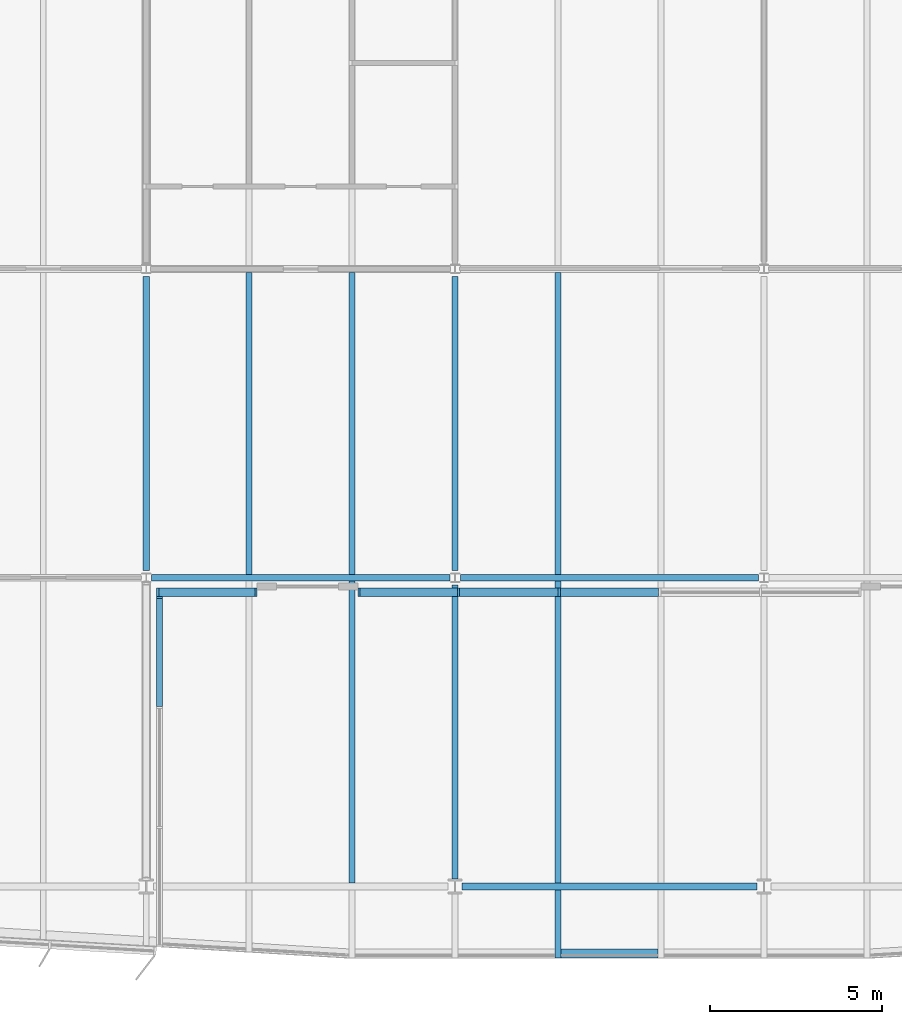
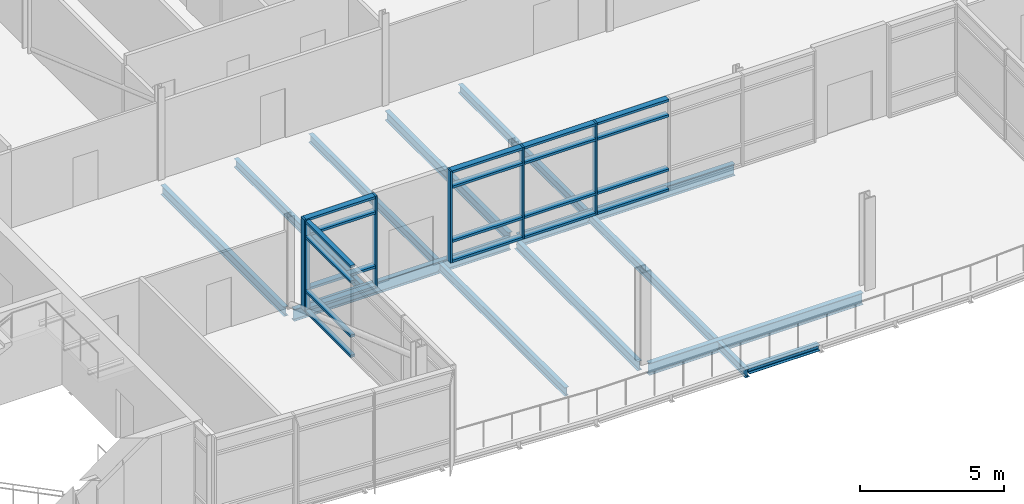
# One storey, part 3 of 19: 26 members, 13 beams, 3 elements without a shape of their own.
"""IFC4 building model written with IfcOpenShell, lengths in metres."""

from ifc_helpers import new_model, si_unit, direction, frame, origin, origin_2d, place, context, subcontext, project, spatial, rectangle, i_section, extrude, material, material_profile, profile_set, type_object, element, aggregate, save


model = new_model("IFC4")

# Units and contexts
model_context = context("Model", 3, precision=1e-05, world=origin(), true_north=direction((0.0, 1.0)))
body_context = subcontext(model_context, "Body", "Model", "MODEL_VIEW")
ifc_project = project(units=[si_unit("LENGTHUNIT", "METRE"), si_unit("AREAUNIT", "SQUARE_METRE"), si_unit("VOLUMEUNIT", "CUBIC_METRE"), si_unit("PLANEANGLEUNIT", "RADIAN"), si_unit("MASSUNIT", "GRAM", prefix="KILO")], contexts=[model_context])

# Site, building, storey
site_placement = place(None, origin())
site = spatial("IfcSite", under=ifc_project, at=site_placement, CompositionType="ELEMENT")
building_placement = place(site_placement, origin())
building = spatial("IfcBuilding", under=site, at=building_placement, Name="Azimuth Sports and Learning Centre", CompositionType="ELEMENT")
storey_placement = place(building_placement, frame((0.0, 0.0, 67.5)))
storey = spatial("IfcBuildingStorey", under=building, at=storey_placement, Name="L15", CompositionType="ELEMENT", Elevation=67.5)

# Beams
ifc_material_1 = material(Name="Steel S355", Category="steel")
ifc_material_profile_1 = material_profile(ifc_material_1, i_section(OverallWidth=0.179931640625, OverallDepth=0.39990234375, WebThickness=0.008544921875, FlangeThickness=0.013427734375, FilletRadius=0.02099609375, at=origin_2d()), Name="IPE 400")
ifc_profile_set_1 = profile_set([ifc_material_profile_1], Name="Steel S355")
beam_type_1 = type_object("IfcBeamType", Name="Beam IPE 400", PredefinedType="BEAM", material=ifc_profile_set_1)
beam_1_placement = place(storey_placement, frame((72.0, 99.216064453125, -0.330078125), z_axis=(0.0, 1.0, 0.0), x_axis=(-1.0, 0.0, 0.0)))
element("IfcBeam", 1, at=beam_1_placement, inside=storey, type_object=beam_type_1, Name="Tower tie", PredefinedType="BEAM", context=body_context, shape_type="SweptSolid", body=[
    extrude(i_section(OverallWidth=0.179931640625, OverallDepth=0.39990234375, WebThickness=0.008544921875, FlangeThickness=0.013427734375, FilletRadius=0.02099609375, at=origin_2d()), origin(), (0.0, 0.0, 1.0), 8.56787109375),
])
beam_2_placement = place(storey_placement, frame((81.0, 90.217529296875, -0.330078125), z_axis=(0.0, 1.0, 0.0), x_axis=(-1.0, 0.0, 0.0)))
element("IfcBeam", 2, at=beam_2_placement, inside=storey, type_object=beam_type_1, Name="Tower tie", PredefinedType="BEAM", context=body_context, shape_type="SweptSolid", body=[
    extrude(i_section(OverallWidth=0.179931640625, OverallDepth=0.39990234375, WebThickness=0.008544921875, FlangeThickness=0.013427734375, FilletRadius=0.02099609375, at=origin_2d()), origin(), (0.0, 0.0, 1.0), 8.56640625),
])
beam_3_placement = place(storey_placement, frame((81.0, 99.216064453125, -0.330078125), z_axis=(0.0, 1.0, 0.0), x_axis=(-1.0, 0.0, 0.0)))
element("IfcBeam", 3, at=beam_3_placement, inside=storey, type_object=beam_type_1, Name="Tower tie", PredefinedType="BEAM", context=body_context, shape_type="SweptSolid", body=[
    extrude(i_section(OverallWidth=0.179931640625, OverallDepth=0.39990234375, WebThickness=0.008544921875, FlangeThickness=0.013427734375, FilletRadius=0.02099609375, at=origin_2d()), origin(), (0.0, 0.0, 1.0), 8.56787109375),
])
ifc_material_2 = material(Name="Steel S355", Category="steel")
ifc_material_profile_2 = material_profile(ifc_material_2, i_section(OverallWidth=0.199951171875, OverallDepth=0.5, WebThickness=0.01025390625, FlangeThickness=0.01611328125, FilletRadius=0.02099609375, at=origin_2d()), Name="IPE 500")
ifc_profile_set_2 = profile_set([ifc_material_profile_2], Name="Steel S355")
beam_type_2 = type_object("IfcBeamType", Name="Beam IPE 500", PredefinedType="BEAM", material=ifc_profile_set_2)
beam_4_placement = place(storey_placement, frame((81.2060546875, 90.0, -0.3798828125), z_axis=(1.0, 0.0, 0.0), x_axis=(0.0, 1.0, 0.0)))
element("IfcBeam", 4, at=beam_4_placement, inside=storey, type_object=beam_type_2, Name="Tower girder L15", PredefinedType="BEAM", context=body_context, shape_type="SweptSolid", body=[
    extrude(i_section(OverallWidth=0.199951171875, OverallDepth=0.5, WebThickness=0.01025390625, FlangeThickness=0.01611328125, FilletRadius=0.02099609375, at=origin_2d()), origin(), (0.0, 0.0, 1.0), 8.587890625),
])
for number, where, z_axis, x_axis, name in (
    (5, (72.153564453125, 99.0, -0.3798828125), (1.0, 0.0, 0.0), (0.0, 1.0, 0.0), "Tower girder L15"),
    (6, (81.153564453125, 99.0, -0.3798828125), (1.0, 0.0, 0.0), (0.0, 1.0, 0.0), "Tower girder L15"),
):
    element("IfcBeam", number, at=place(storey_placement, frame(where, z_axis=z_axis, x_axis=x_axis)), inside=storey, type_object=beam_type_2, Name=name, PredefinedType="BEAM", context=body_context, shape_type="SweptSolid", body=[
        extrude(i_section(OverallWidth=0.199951171875, OverallDepth=0.5, WebThickness=0.01025390625, FlangeThickness=0.01611328125, FilletRadius=0.02099609375, at=origin_2d()), origin(), (0.0, 0.0, 1.0), 8.69287109375),
    ])
ifc_material_3 = material(Name="Steel S355", Category="steel")
ifc_material_profile_3 = material_profile(ifc_material_3, i_section(OverallWidth=0.169921875, OverallDepth=0.360107421875, WebThickness=0.008056640625, FlangeThickness=0.0126953125, FilletRadius=0.01806640625, at=origin_2d()), Name="IPE 360")
ifc_profile_set_3 = profile_set([ifc_material_profile_3], Name="Steel S355")
beam_type_3 = type_object("IfcBeamType", Name="Cantilever stub IPE 360", PredefinedType="JOIST", material=ifc_profile_set_3)
beam_5_placement = place(storey_placement, frame((84.0, 89.89990234375, -0.31005859375), z_axis=(0.0, -1.0, 0.0), x_axis=(1.0, 0.0, 0.0)))
element("IfcBeam", 7, at=beam_5_placement, inside=storey, type_object=beam_type_3, Name="Tower cantilever stub", PredefinedType="JOIST", context=body_context, shape_type="SweptSolid", body=[
    extrude(i_section(OverallWidth=0.169921875, OverallDepth=0.360107421875, WebThickness=0.008056640625, FlangeThickness=0.0126953125, FilletRadius=0.01806640625, at=origin_2d()), origin(), (0.0, 0.0, 1.0), 1.97998046875),
])
ifc_material_4 = material(Name="Steel S355", Category="steel")
ifc_material_profile_4 = material_profile(ifc_material_4, i_section(OverallWidth=0.260009765625, OverallDepth=0.25, WebThickness=0.007568359375, FlangeThickness=0.012451171875, FilletRadius=0.02392578125, at=origin_2d()), Name="HEA 260")
ifc_profile_set_4 = profile_set([ifc_material_profile_4], Name="Steel S355")
beam_type_4 = type_object("IfcBeamType", Name="Edge beam HEA 260", PredefinedType="SPANDREL", material=ifc_profile_set_4)
beam_6_placement = place(storey_placement, frame((84.0849609375, 88.050048828125, -0.2548828125), z_axis=(1.0, 0.0, 0.0), x_axis=(0.0, 1.0, 0.0)))
element("IfcBeam", 8, at=beam_6_placement, inside=storey, type_object=beam_type_4, Name="Tower edge beam", PredefinedType="SPANDREL", context=body_context, shape_type="SweptSolid", body=[
    extrude(i_section(OverallWidth=0.260009765625, OverallDepth=0.25, WebThickness=0.007568359375, FlangeThickness=0.012451171875, FilletRadius=0.02392578125, at=origin_2d()), origin(), (0.0, 0.0, 1.0), 2.830078125),
])
ifc_material_5 = material(Name="Steel S355", Category="steel")
ifc_material_profile_5 = material_profile(ifc_material_5, i_section(OverallWidth=0.169921875, OverallDepth=0.360107421875, WebThickness=0.008056640625, FlangeThickness=0.0126953125, FilletRadius=0.01806640625, at=origin_2d()), Name="IPE 360")
ifc_profile_set_5 = profile_set([ifc_material_profile_5], Name="Steel S355")
beam_type_5 = type_object("IfcBeamType", Name="Joist IPE 360", PredefinedType="JOIST", material=ifc_profile_set_5)
for number, where, z_axis, x_axis, name in (
    (9, (75.0, 99.10009765625, -0.31005859375), (0.0, 1.0, 0.0), (-1.0, 0.0, 0.0), "Tower joist"),
    (10, (78.0, 90.10009765625, -0.31005859375), (0.0, 1.0, 0.0), (-1.0, 0.0, 0.0), "Tower joist"),
    (11, (78.0, 99.10009765625, -0.31005859375), (0.0, 1.0, 0.0), (-1.0, 0.0, 0.0), "Tower joist"),
    (12, (84.0, 90.10009765625, -0.31005859375), (0.0, 1.0, 0.0), (-1.0, 0.0, 0.0), "Tower joist"),
    (13, (84.0, 99.10009765625, -0.31005859375), (0.0, 1.0, 0.0), (-1.0, 0.0, 0.0), "Tower joist"),
):
    element("IfcBeam", number, at=place(storey_placement, frame(where, z_axis=z_axis, x_axis=x_axis)), inside=storey, type_object=beam_type_5, Name=name, PredefinedType="JOIST", context=body_context, shape_type="SweptSolid", body=[
        extrude(i_section(OverallWidth=0.169921875, OverallDepth=0.360107421875, WebThickness=0.008056640625, FlangeThickness=0.0126953125, FilletRadius=0.01806640625, at=origin_2d()), origin(), (0.0, 0.0, 1.0), 8.7998046875),
    ])

# Curtain wall, member
ifc_material_6 = material(Name="Aluminium and glass", Category="aluminium")
curtain_wall_type_1 = type_object("IfcCurtainWallType", Name="Curtain wall tower return 180", PredefinedType="NOTDEFINED", material=ifc_material_6)
curtain_wall_1_placement = place(storey_placement, origin())
curtain_wall_1 = element("IfcCurtainWall", 14, at=curtain_wall_1_placement, inside=storey, type_object=curtain_wall_type_1, Name="Curtain wall CW15-003", PredefinedType="NOTDEFINED")
ifc_material_7 = material(Name="Aluminium", Category="aluminium")
ifc_material_profile_6 = material_profile(ifc_material_7, rectangle(XDim=0.179931640625, YDim=0.06005859375, at=origin_2d()), Name="Mullion 60x180")
ifc_profile_set_6 = profile_set([ifc_material_profile_6], Name="Aluminium")
member_type_1 = type_object("IfcMemberType", Name="Mullion 60x180", PredefinedType="MULLION", material=ifc_profile_set_6)
member_1_placement = place(storey_placement, frame((72.389892578125, 98.429931640625, 0.0), z_axis=(0.0, 0.0, 1.0), x_axis=(-1.0, 0.0, 0.0)))
member_1 = element("IfcMember", 15, at=member_1_placement, type_object=member_type_1, Name="CW15-003 mullion 4", PredefinedType="MULLION", context=body_context, shape_type="SweptSolid", body=[
    extrude(rectangle(XDim=0.179931640625, YDim=0.06005859375, at=origin_2d()), origin(), (0.0, 0.0, 1.0), 3.89990234375),
])

# Curtain wall, members
ifc_material_8 = material(Name="Aluminium and glass", Category="aluminium")
curtain_wall_type_2 = type_object("IfcCurtainWallType", Name="Curtain wall tower south 240", PredefinedType="NOTDEFINED", material=ifc_material_8)
curtain_wall_2_placement = place(storey_placement, origin())
curtain_wall_2 = element("IfcCurtainWall", 16, at=curtain_wall_2_placement, inside=storey, type_object=curtain_wall_type_2, Name="Curtain wall CW15-004", PredefinedType="NOTDEFINED")
ifc_material_9 = material(Name="Aluminium", Category="aluminium")
ifc_material_profile_7 = material_profile(ifc_material_9, rectangle(XDim=0.239990234375, YDim=0.070068359375, at=origin_2d()), Name="Mullion 70x240")
ifc_profile_set_7 = profile_set([ifc_material_profile_7], Name="Aluminium")
member_type_2 = type_object("IfcMemberType", Name="Mullion 70x240", PredefinedType="MULLION", material=ifc_profile_set_7)
member_2_placement = place(storey_placement, frame((72.3349609375, 98.580078125, 0.0), z_axis=(0.0, 0.0, 1.0), x_axis=(0.0, 1.0, 0.0)))
member_2 = element("IfcMember", 17, at=member_2_placement, type_object=member_type_2, Name="CW15-004 mullion 1", PredefinedType="MULLION", context=body_context, shape_type="SweptSolid", body=[
    extrude(rectangle(XDim=0.239990234375, YDim=0.070068359375, at=origin_2d()), origin(), (0.0, 0.0, 1.0), 3.89990234375),
])
member_3_placement = place(storey_placement, frame((75.1982421875, 98.580078125, 0.0), z_axis=(0.0, 0.0, 1.0), x_axis=(0.0, 1.0, 0.0)))
member_3 = element("IfcMember", 18, at=member_3_placement, type_object=member_type_2, Name="CW15-004 mullion 2", PredefinedType="MULLION", context=body_context, shape_type="SweptSolid", body=[
    extrude(rectangle(XDim=0.239990234375, YDim=0.070068359375, at=origin_2d()), origin(), (0.0, 0.0, 1.0), 3.89990234375),
])

curtain_wall_3_placement = place(storey_placement, origin())
curtain_wall_3 = element("IfcCurtainWall", 19, at=curtain_wall_3_placement, inside=storey, type_object=curtain_wall_type_2, Name="Curtain wall CW15-005", PredefinedType="NOTDEFINED")
member_4_placement = place(storey_placement, frame((78.20166015625, 98.580078125, 0.0), z_axis=(0.0, 0.0, 1.0), x_axis=(0.0, 1.0, 0.0)))
member_4 = element("IfcMember", 20, at=member_4_placement, type_object=member_type_2, Name="CW15-005 mullion 1", PredefinedType="MULLION", context=body_context, shape_type="SweptSolid", body=[
    extrude(rectangle(XDim=0.239990234375, YDim=0.070068359375, at=origin_2d()), origin(), (0.0, 0.0, 1.0), 3.89990234375),
])
member_5_placement = place(storey_placement, frame((81.10009765625, 98.580078125, 0.0), z_axis=(0.0, 0.0, 1.0), x_axis=(0.0, 1.0, 0.0)))
member_5 = element("IfcMember", 21, at=member_5_placement, type_object=member_type_2, Name="CW15-005 mullion 2", PredefinedType="MULLION", context=body_context, shape_type="SweptSolid", body=[
    extrude(rectangle(XDim=0.239990234375, YDim=0.070068359375, at=origin_2d()), origin(), (0.0, 0.0, 1.0), 3.89990234375),
])
member_6_placement = place(storey_placement, frame((84.033447265625, 98.580078125, 0.0), z_axis=(0.0, 0.0, 1.0), x_axis=(0.0, 1.0, 0.0)))
member_6 = element("IfcMember", 22, at=member_6_placement, type_object=member_type_2, Name="CW15-005 mullion 3", PredefinedType="MULLION", context=body_context, shape_type="SweptSolid", body=[
    extrude(rectangle(XDim=0.239990234375, YDim=0.070068359375, at=origin_2d()), origin(), (0.0, 0.0, 1.0), 3.89990234375),
])

# Member
ifc_material_10 = material(Name="Aluminium", Category="aluminium")
ifc_material_profile_8 = material_profile(ifc_material_10, rectangle(XDim=0.179931640625, YDim=0.10009765625, at=origin_2d()), Name="Transom 100x180")
ifc_profile_set_8 = profile_set([ifc_material_profile_8], Name="Aluminium")
member_type_3 = type_object("IfcMemberType", Name="Transom 100x180", PredefinedType="USERDEFINED", material=ifc_profile_set_8)
member_7_placement = place(storey_placement, frame((72.389892578125, 95.243896484375, 0.050048828125), z_axis=(0.0, 1.0, 0.0), x_axis=(-1.0, 0.0, 0.0)))
member_7 = element("IfcMember", 23, at=member_7_placement, type_object=member_type_3, Name="CW15-003 transom 3.1", ObjectType="TRANSOM", PredefinedType="USERDEFINED", context=body_context, shape_type="SweptSolid", body=[
    extrude(rectangle(XDim=0.179931640625, YDim=0.10009765625, at=origin_2d()), origin(), (0.0, 0.0, 1.0), 3.156005859375),
])

member_8_placement = place(storey_placement, frame((72.389892578125, 95.243896484375, 0.89990234375), z_axis=(0.0, 1.0, 0.0), x_axis=(-1.0, 0.0, 0.0)))
member_8 = element("IfcMember", 24, at=member_8_placement, type_object=member_type_3, Name="CW15-003 transom 3.2", ObjectType="TRANSOM", PredefinedType="USERDEFINED", context=body_context, shape_type="SweptSolid", body=[
    extrude(rectangle(XDim=0.179931640625, YDim=0.10009765625, at=origin_2d()), origin(), (0.0, 0.0, 1.0), 3.156005859375),
])

member_9_placement = place(storey_placement, frame((72.389892578125, 95.243896484375, 3.199951171875), z_axis=(0.0, 1.0, 0.0), x_axis=(-1.0, 0.0, 0.0)))
member_9 = element("IfcMember", 25, at=member_9_placement, type_object=member_type_3, Name="CW15-003 transom 3.3", ObjectType="TRANSOM", PredefinedType="USERDEFINED", context=body_context, shape_type="SweptSolid", body=[
    extrude(rectangle(XDim=0.179931640625, YDim=0.10009765625, at=origin_2d()), origin(), (0.0, 0.0, 1.0), 3.156005859375),
])

member_10_placement = place(storey_placement, frame((72.389892578125, 95.243896484375, 3.85009765625), z_axis=(0.0, 1.0, 0.0), x_axis=(-1.0, 0.0, 0.0)))
member_10 = element("IfcMember", 26, at=member_10_placement, type_object=member_type_3, Name="CW15-003 transom 3.4", ObjectType="TRANSOM", PredefinedType="USERDEFINED", context=body_context, shape_type="SweptSolid", body=[
    extrude(rectangle(XDim=0.179931640625, YDim=0.10009765625, at=origin_2d()), origin(), (0.0, 0.0, 1.0), 3.156005859375),
])

aggregate(curtain_wall_1, [member_1, member_7, member_8, member_9, member_10])

ifc_material_11 = material(Name="Aluminium", Category="aluminium")
ifc_material_profile_9 = material_profile(ifc_material_11, rectangle(XDim=0.239990234375, YDim=0.10009765625, at=origin_2d()), Name="Transom 100x240")
ifc_profile_set_9 = profile_set([ifc_material_profile_9], Name="Aluminium")
member_type_4 = type_object("IfcMemberType", Name="Transom 100x240", PredefinedType="USERDEFINED", material=ifc_profile_set_9)
member_11_placement = place(storey_placement, frame((72.3701171875, 98.580078125, 0.050048828125), z_axis=(1.0, 0.0, 0.0), x_axis=(0.0, 1.0, 0.0)))
member_11 = element("IfcMember", 27, at=member_11_placement, type_object=member_type_4, Name="CW15-004 transom 1.1", ObjectType="TRANSOM", PredefinedType="USERDEFINED", context=body_context, shape_type="SweptSolid", body=[
    extrude(rectangle(XDim=0.239990234375, YDim=0.10009765625, at=origin_2d()), origin(), (0.0, 0.0, 1.0), 2.793212890625),
])

member_12_placement = place(storey_placement, frame((72.3701171875, 98.580078125, 0.89990234375), z_axis=(1.0, 0.0, 0.0), x_axis=(0.0, 1.0, 0.0)))
member_12 = element("IfcMember", 28, at=member_12_placement, type_object=member_type_4, Name="CW15-004 transom 1.2", ObjectType="TRANSOM", PredefinedType="USERDEFINED", context=body_context, shape_type="SweptSolid", body=[
    extrude(rectangle(XDim=0.239990234375, YDim=0.10009765625, at=origin_2d()), origin(), (0.0, 0.0, 1.0), 2.793212890625),
])

member_13_placement = place(storey_placement, frame((72.3701171875, 98.580078125, 3.199951171875), z_axis=(1.0, 0.0, 0.0), x_axis=(0.0, 1.0, 0.0)))
member_13 = element("IfcMember", 29, at=member_13_placement, type_object=member_type_4, Name="CW15-004 transom 1.3", ObjectType="TRANSOM", PredefinedType="USERDEFINED", context=body_context, shape_type="SweptSolid", body=[
    extrude(rectangle(XDim=0.239990234375, YDim=0.10009765625, at=origin_2d()), origin(), (0.0, 0.0, 1.0), 2.793212890625),
])

member_14_placement = place(storey_placement, frame((72.3701171875, 98.580078125, 3.85009765625), z_axis=(1.0, 0.0, 0.0), x_axis=(0.0, 1.0, 0.0)))
member_14 = element("IfcMember", 30, at=member_14_placement, type_object=member_type_4, Name="CW15-004 transom 1.4", ObjectType="TRANSOM", PredefinedType="USERDEFINED", context=body_context, shape_type="SweptSolid", body=[
    extrude(rectangle(XDim=0.239990234375, YDim=0.10009765625, at=origin_2d()), origin(), (0.0, 0.0, 1.0), 2.793212890625),
])

aggregate(curtain_wall_2, [member_2, member_3, member_11, member_12, member_13, member_14])

member_15_placement = place(storey_placement, frame((78.236572265625, 98.580078125, 0.050048828125), z_axis=(1.0, 0.0, 0.0), x_axis=(0.0, 1.0, 0.0)))
member_15 = element("IfcMember", 31, at=member_15_placement, type_object=member_type_4, Name="CW15-005 transom 1.1", ObjectType="TRANSOM", PredefinedType="USERDEFINED", context=body_context, shape_type="SweptSolid", body=[
    extrude(rectangle(XDim=0.239990234375, YDim=0.10009765625, at=origin_2d()), origin(), (0.0, 0.0, 1.0), 2.828369140625),
])

member_16_placement = place(storey_placement, frame((78.236572265625, 98.580078125, 0.89990234375), z_axis=(1.0, 0.0, 0.0), x_axis=(0.0, 1.0, 0.0)))
member_16 = element("IfcMember", 32, at=member_16_placement, type_object=member_type_4, Name="CW15-005 transom 1.2", ObjectType="TRANSOM", PredefinedType="USERDEFINED", context=body_context, shape_type="SweptSolid", body=[
    extrude(rectangle(XDim=0.239990234375, YDim=0.10009765625, at=origin_2d()), origin(), (0.0, 0.0, 1.0), 2.828369140625),
])

member_17_placement = place(storey_placement, frame((78.236572265625, 98.580078125, 3.199951171875), z_axis=(1.0, 0.0, 0.0), x_axis=(0.0, 1.0, 0.0)))
member_17 = element("IfcMember", 33, at=member_17_placement, type_object=member_type_4, Name="CW15-005 transom 1.3", ObjectType="TRANSOM", PredefinedType="USERDEFINED", context=body_context, shape_type="SweptSolid", body=[
    extrude(rectangle(XDim=0.239990234375, YDim=0.10009765625, at=origin_2d()), origin(), (0.0, 0.0, 1.0), 2.828369140625),
])

member_18_placement = place(storey_placement, frame((78.236572265625, 98.580078125, 3.85009765625), z_axis=(1.0, 0.0, 0.0), x_axis=(0.0, 1.0, 0.0)))
member_18 = element("IfcMember", 34, at=member_18_placement, type_object=member_type_4, Name="CW15-005 transom 1.4", ObjectType="TRANSOM", PredefinedType="USERDEFINED", context=body_context, shape_type="SweptSolid", body=[
    extrude(rectangle(XDim=0.239990234375, YDim=0.10009765625, at=origin_2d()), origin(), (0.0, 0.0, 1.0), 2.828369140625),
])

member_19_placement = place(storey_placement, frame((81.135009765625, 98.580078125, 0.050048828125), z_axis=(1.0, 0.0, 0.0), x_axis=(0.0, 1.0, 0.0)))
member_19 = element("IfcMember", 35, at=member_19_placement, type_object=member_type_4, Name="CW15-005 transom 2.1", ObjectType="TRANSOM", PredefinedType="USERDEFINED", context=body_context, shape_type="SweptSolid", body=[
    extrude(rectangle(XDim=0.239990234375, YDim=0.10009765625, at=origin_2d()), origin(), (0.0, 0.0, 1.0), 2.86328125),
])

member_20_placement = place(storey_placement, frame((81.135009765625, 98.580078125, 0.89990234375), z_axis=(1.0, 0.0, 0.0), x_axis=(0.0, 1.0, 0.0)))
member_20 = element("IfcMember", 36, at=member_20_placement, type_object=member_type_4, Name="CW15-005 transom 2.2", ObjectType="TRANSOM", PredefinedType="USERDEFINED", context=body_context, shape_type="SweptSolid", body=[
    extrude(rectangle(XDim=0.239990234375, YDim=0.10009765625, at=origin_2d()), origin(), (0.0, 0.0, 1.0), 2.86328125),
])

member_21_placement = place(storey_placement, frame((81.135009765625, 98.580078125, 3.199951171875), z_axis=(1.0, 0.0, 0.0), x_axis=(0.0, 1.0, 0.0)))
member_21 = element("IfcMember", 37, at=member_21_placement, type_object=member_type_4, Name="CW15-005 transom 2.3", ObjectType="TRANSOM", PredefinedType="USERDEFINED", context=body_context, shape_type="SweptSolid", body=[
    extrude(rectangle(XDim=0.239990234375, YDim=0.10009765625, at=origin_2d()), origin(), (0.0, 0.0, 1.0), 2.86328125),
])

member_22_placement = place(storey_placement, frame((81.135009765625, 98.580078125, 3.85009765625), z_axis=(1.0, 0.0, 0.0), x_axis=(0.0, 1.0, 0.0)))
member_22 = element("IfcMember", 38, at=member_22_placement, type_object=member_type_4, Name="CW15-005 transom 2.4", ObjectType="TRANSOM", PredefinedType="USERDEFINED", context=body_context, shape_type="SweptSolid", body=[
    extrude(rectangle(XDim=0.239990234375, YDim=0.10009765625, at=origin_2d()), origin(), (0.0, 0.0, 1.0), 2.86328125),
])

member_23_placement = place(storey_placement, frame((84.068359375, 98.580078125, 0.050048828125), z_axis=(1.0, 0.0, 0.0), x_axis=(0.0, 1.0, 0.0)))
member_23 = element("IfcMember", 39, at=member_23_placement, type_object=member_type_4, Name="CW15-005 transom 3.1", ObjectType="TRANSOM", PredefinedType="USERDEFINED", context=body_context, shape_type="SweptSolid", body=[
    extrude(rectangle(XDim=0.239990234375, YDim=0.10009765625, at=origin_2d()), origin(), (0.0, 0.0, 1.0), 2.86328125),
])

member_24_placement = place(storey_placement, frame((84.068359375, 98.580078125, 0.89990234375), z_axis=(1.0, 0.0, 0.0), x_axis=(0.0, 1.0, 0.0)))
member_24 = element("IfcMember", 40, at=member_24_placement, type_object=member_type_4, Name="CW15-005 transom 3.2", ObjectType="TRANSOM", PredefinedType="USERDEFINED", context=body_context, shape_type="SweptSolid", body=[
    extrude(rectangle(XDim=0.239990234375, YDim=0.10009765625, at=origin_2d()), origin(), (0.0, 0.0, 1.0), 2.86328125),
])

member_25_placement = place(storey_placement, frame((84.068359375, 98.580078125, 3.199951171875), z_axis=(1.0, 0.0, 0.0), x_axis=(0.0, 1.0, 0.0)))
member_25 = element("IfcMember", 41, at=member_25_placement, type_object=member_type_4, Name="CW15-005 transom 3.3", ObjectType="TRANSOM", PredefinedType="USERDEFINED", context=body_context, shape_type="SweptSolid", body=[
    extrude(rectangle(XDim=0.239990234375, YDim=0.10009765625, at=origin_2d()), origin(), (0.0, 0.0, 1.0), 2.86328125),
])

member_26_placement = place(storey_placement, frame((84.068359375, 98.580078125, 3.85009765625), z_axis=(1.0, 0.0, 0.0), x_axis=(0.0, 1.0, 0.0)))
member_26 = element("IfcMember", 42, at=member_26_placement, type_object=member_type_4, Name="CW15-005 transom 3.4", ObjectType="TRANSOM", PredefinedType="USERDEFINED", context=body_context, shape_type="SweptSolid", body=[
    extrude(rectangle(XDim=0.239990234375, YDim=0.10009765625, at=origin_2d()), origin(), (0.0, 0.0, 1.0), 2.86328125),
])

aggregate(curtain_wall_3, [member_4, member_5, member_6, member_15, member_16, member_17, member_18, member_19, member_20, member_21, member_22, member_23, member_24, member_25, member_26])

save(model, "model.ifc")
